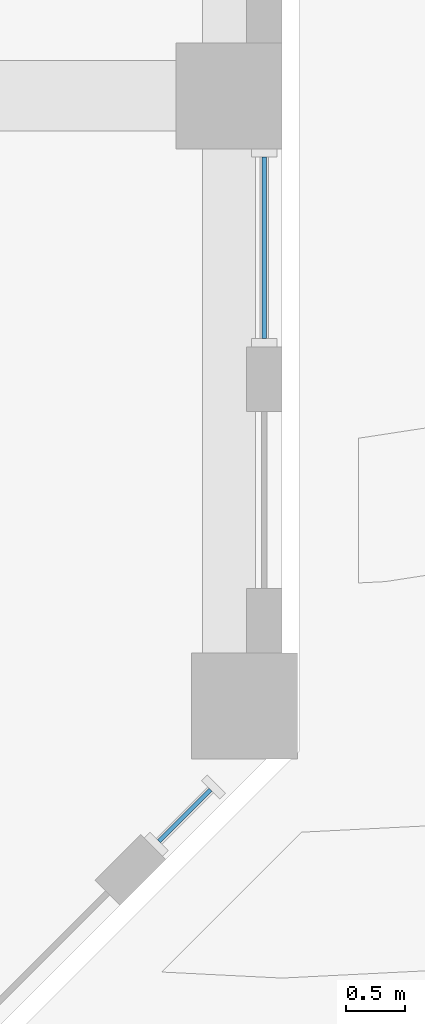
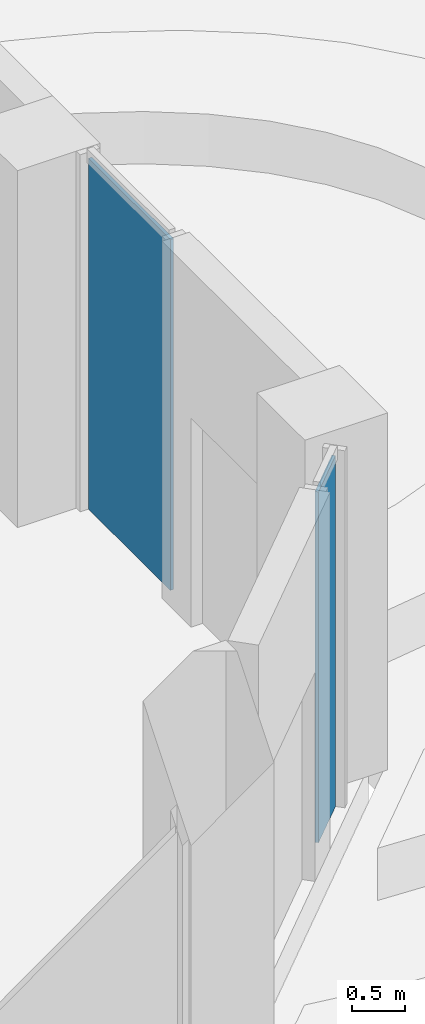
# One storey, part 13 of 38: 2 plates, 2 elements without a shape of their own.
"""IFC4 building model written with IfcOpenShell, lengths in metres."""

from ifc_helpers import new_model, si_unit, direction, frame, origin, origin_2d, place, context, subcontext, project, spatial, rectangle, extrude, source, transform, mapped, material, layer, layer_set, type_object, element, aggregate, save


model = new_model("IFC4")

# Units and contexts
model_context = context("Model", 3, precision=1e-05, world=origin(), true_north=direction((0.0, 1.0)))
body_context = subcontext(model_context, "Body", "Model", "MODEL_VIEW")
ifc_project = project(units=[si_unit("LENGTHUNIT", "METRE"), si_unit("AREAUNIT", "SQUARE_METRE"), si_unit("VOLUMEUNIT", "CUBIC_METRE"), si_unit("PLANEANGLEUNIT", "RADIAN"), si_unit("MASSUNIT", "GRAM", prefix="KILO")], contexts=[model_context])

# Site, building, storey
site_placement = place(None, origin())
site = spatial("IfcSite", under=ifc_project, at=site_placement, CompositionType="ELEMENT")
building_placement = place(site_placement, origin())
building = spatial("IfcBuilding", under=site, at=building_placement, Name="Kilnfold Tower and Market Hall", CompositionType="ELEMENT")
storey_placement = place(building_placement, frame((0.0, 0.0, 9.0)))
storey = spatial("IfcBuildingStorey", under=building, at=storey_placement, Name="L01", CompositionType="ELEMENT", Elevation=9.0)

# Curtain wall, plate
ifc_material_1 = material(Name="Aluminium and double glazing", Category="aluminium")
curtain_wall_type = type_object("IfcCurtainWallType", Name="CW BASE PODIUM GLAZING", PredefinedType="NOTDEFINED", material=ifc_material_1)
curtain_wall_1_placement = place(storey_placement, origin())
curtain_wall_1 = element("IfcCurtainWall", 1, at=curtain_wall_1_placement, inside=storey, type_object=curtain_wall_type, Name="Curtain wall CW4 L01 SE", PredefinedType="NOTDEFINED")
ifc_material_2 = material(Name="Double glazed unit")
ifc_layer = layer(ifc_material_2, 0.035888671875)
ifc_layer_set = layer_set([ifc_layer], Name="Double glazed unit")
plate_type = type_object("IfcPlateType", Name="GLAZING PANEL 36", PredefinedType="CURTAIN_PANEL", material=ifc_layer_set)
shared_shape_1 = source(origin(), body_context, "Body", "SweptSolid", [
    extrude(rectangle(XDim=0.618896484375, YDim=0.035888671875, at=origin_2d()), origin(), (0.0, 0.0, 1.0), 4.030029296875),
])
plate_1_placement = place(storey_placement, frame((27.17578125, -25.1123046875, 0.0), z_axis=(0.0, 0.0, 1.0), x_axis=(0.707106781187, 0.707106781187, 0.0)))
plate_1 = element("IfcPlate", 2, at=plate_1_placement, type_object=plate_type, Name="CW4 panel 1.1", PredefinedType="CURTAIN_PANEL", context=body_context, shape_type="MappedRepresentation", body=[
    mapped(shared_shape_1, transform((0.0, 0.0, 0.0))),
])
aggregate(curtain_wall_1, [plate_1])

curtain_wall_2_placement = place(storey_placement, origin())
curtain_wall_2 = element("IfcCurtainWall", 3, at=curtain_wall_2_placement, inside=storey, type_object=curtain_wall_type, Name="Curtain wall CW4 L01 E", PredefinedType="NOTDEFINED")
shared_shape_2 = source(origin(), body_context, "Body", "SweptSolid", [
    extrude(rectangle(XDim=1.541748046875, YDim=0.035888671875, at=origin_2d()), origin(), (0.0, 0.0, 1.0), 4.030029296875),
])
plate_2_placement = place(storey_placement, frame((27.85009765625, -20.291015625, 0.0), z_axis=(0.0, 0.0, 1.0), x_axis=(0.0, 1.0, 0.0)))
plate_2 = element("IfcPlate", 4, at=plate_2_placement, type_object=plate_type, Name="CW4 panel 1.1", PredefinedType="CURTAIN_PANEL", context=body_context, shape_type="MappedRepresentation", body=[
    mapped(shared_shape_2, transform((0.0, 0.0, 0.0))),
])
aggregate(curtain_wall_2, [plate_2])

save(model, "model.ifc")
